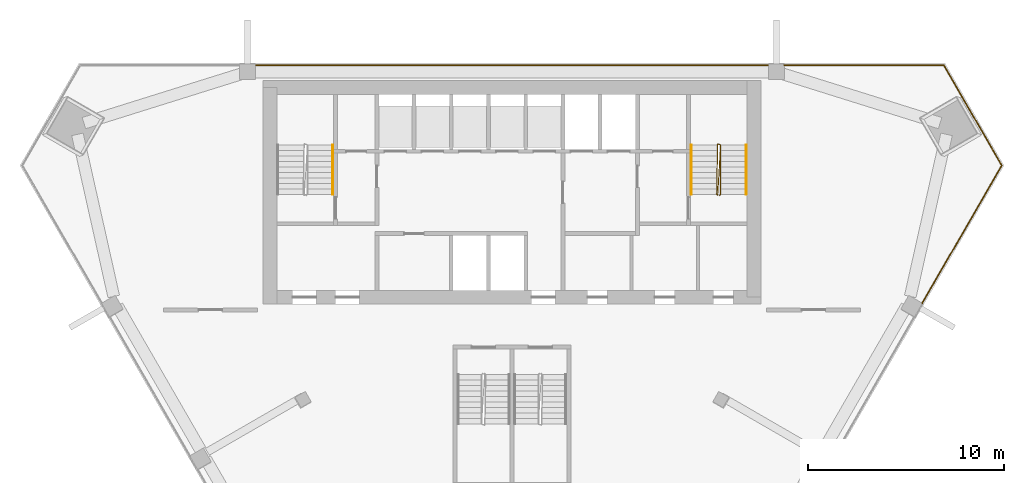
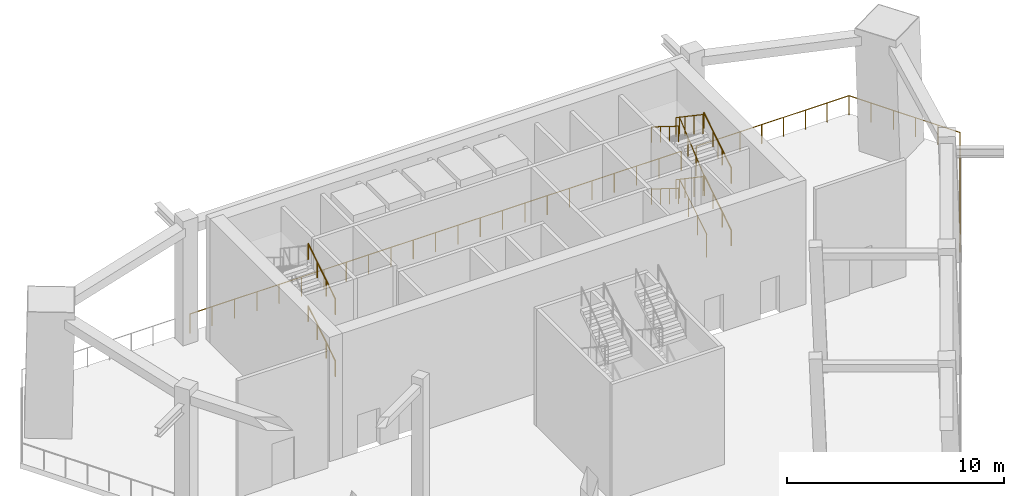
# One storey, part 5 of 6: 10 railings.
"""IFC4 building model written with IfcOpenShell, lengths in metres."""

from ifc_helpers import new_model, si_unit, direction, frame, origin, origin_2d, place, context, subcontext, project, spatial, circle, extrude, material, type_object, element, save


model = new_model("IFC4")

# Units and contexts
model_context = context("Model", 3, precision=1e-05, world=origin(), true_north=direction((0.0, 1.0)))
body_context = subcontext(model_context, "Body", "Model", "MODEL_VIEW")
ifc_project = project(units=[si_unit("LENGTHUNIT", "METRE"), si_unit("AREAUNIT", "SQUARE_METRE"), si_unit("VOLUMEUNIT", "CUBIC_METRE"), si_unit("PLANEANGLEUNIT", "RADIAN"), si_unit("MASSUNIT", "GRAM", prefix="KILO")], contexts=[model_context])

# Site, building, storey
site_placement = place(None, origin())
site = spatial("IfcSite", under=ifc_project, at=site_placement, CompositionType="ELEMENT")
building_placement = place(site_placement, origin())
building = spatial("IfcBuilding", under=site, at=building_placement, Name="Altiplano Prism Tower", CompositionType="ELEMENT")
storey_placement = place(building_placement, frame((0.0, 0.0, 212.39990234375)))
storey = spatial("IfcBuildingStorey", under=building, at=storey_placement, Name="L55", CompositionType="ELEMENT", Elevation=212.39990234375)

# Railings
ifc_material = material(Name="Steel S355", Category="steel")
railing_type_1 = type_object("IfcRailingType", Name="Open-edge guard 1100", PredefinedType="GUARDRAIL", material=ifc_material)
railing_1_placement = place(storey_placement, frame((107.040283203125, 104.89990234375, 0.0)))
element("IfcRailing", 1, at=railing_1_placement, inside=storey, type_object=railing_type_1, Name="Open-edge guard L55", PredefinedType="GUARDRAIL", context=body_context, shape_type="SweptSolid", body=[
    extrude(circle(Radius=0.02490234375, at=origin_2d()), frame((0.0, 0.0, 1.0751953125), z_axis=(0.500002072072, -0.86602420747, 0.0), x_axis=(0.86602420747, 0.500002072072, 0.0)), (0.0, 0.0, 1.0), 5.92041015625),
    extrude(circle(Radius=0.02490234375, at=origin_2d()), frame((2.960205078125, -5.127197265625, 1.0751953125), z_axis=(-0.499984725761, -0.866034222191, 0.0), x_axis=(0.866034222191, -0.499984725761, 0.0)), (0.0, 0.0, 1.0), 8.111572265625),
    extrude(circle(Radius=0.02490234375, at=origin_2d()), origin(), (0.0, 0.0, 1.0), 1.050048828125),
    extrude(circle(Radius=0.02490234375, at=origin_2d()), frame((0.592041015625, -1.025390625, 0.0)), (0.0, 0.0, 1.0), 1.050048828125),
    extrude(circle(Radius=0.02490234375, at=origin_2d()), frame((1.18408203125, -2.05078125, 0.0)), (0.0, 0.0, 1.0), 1.050048828125),
    extrude(circle(Radius=0.02490234375, at=origin_2d()), frame((1.776123046875, -3.076416015625, 0.0)), (0.0, 0.0, 1.0), 1.050048828125),
    extrude(circle(Radius=0.02490234375, at=origin_2d()), frame((2.3681640625, -4.101806640625, 0.0)), (0.0, 0.0, 1.0), 1.050048828125),
    extrude(circle(Radius=0.02490234375, at=origin_2d()), frame((2.960205078125, -5.127197265625, 0.0)), (0.0, 0.0, 1.0), 1.050048828125),
    extrude(circle(Radius=0.02490234375, at=origin_2d()), frame((2.380859375, -6.130859375, 0.0)), (0.0, 0.0, 1.0), 1.050048828125),
    extrude(circle(Radius=0.02490234375, at=origin_2d()), frame((1.801513671875, -7.13427734375, 0.0)), (0.0, 0.0, 1.0), 1.050048828125),
    extrude(circle(Radius=0.02490234375, at=origin_2d()), frame((1.22216796875, -8.137939453125, 0.0)), (0.0, 0.0, 1.0), 1.050048828125),
    extrude(circle(Radius=0.02490234375, at=origin_2d()), frame((0.642578125, -9.141357421875, 0.0)), (0.0, 0.0, 1.0), 1.050048828125),
    extrude(circle(Radius=0.02490234375, at=origin_2d()), frame((0.063232421875, -10.14501953125, 0.0)), (0.0, 0.0, 1.0), 1.050048828125),
    extrude(circle(Radius=0.02490234375, at=origin_2d()), frame((-0.51611328125, -11.1484375, 0.0)), (0.0, 0.0, 1.0), 1.050048828125),
    extrude(circle(Radius=0.02490234375, at=origin_2d()), frame((-1.095458984375, -12.152099609375, 0.0)), (0.0, 0.0, 1.0), 1.050048828125),
])
railing_2_placement = place(storey_placement, frame((71.89990234375, 104.89990234375, 0.0)))
element("IfcRailing", 2, at=railing_2_placement, inside=storey, type_object=railing_type_1, Name="Open-edge guard L55", PredefinedType="GUARDRAIL", context=body_context, shape_type="SweptSolid", body=[
    extrude(circle(Radius=0.02490234375, at=origin_2d()), frame((0.0, 0.0, 1.0751953125), z_axis=(1.0, 0.0, 0.0), x_axis=(0.0, 1.0, 0.0)), (0.0, 0.0, 1.0), 26.2001953125),
    extrude(circle(Radius=0.02490234375, at=origin_2d()), origin(), (0.0, 0.0, 1.0), 1.050048828125),
    extrude(circle(Radius=0.02490234375, at=origin_2d()), frame((1.19091796875, 0.0, 0.0)), (0.0, 0.0, 1.0), 1.050048828125),
    extrude(circle(Radius=0.02490234375, at=origin_2d()), frame((2.3818359375, 0.0, 0.0)), (0.0, 0.0, 1.0), 1.050048828125),
    extrude(circle(Radius=0.02490234375, at=origin_2d()), frame((3.57275390625, 0.0, 0.0)), (0.0, 0.0, 1.0), 1.050048828125),
    extrude(circle(Radius=0.02490234375, at=origin_2d()), frame((4.763671875, 0.0, 0.0)), (0.0, 0.0, 1.0), 1.050048828125),
    extrude(circle(Radius=0.02490234375, at=origin_2d()), frame((5.95458984375, 0.0, 0.0)), (0.0, 0.0, 1.0), 1.050048828125),
    extrude(circle(Radius=0.02490234375, at=origin_2d()), frame((7.1455078125, 0.0, 0.0)), (0.0, 0.0, 1.0), 1.050048828125),
    extrude(circle(Radius=0.02490234375, at=origin_2d()), frame((8.33642578125, 0.0, 0.0)), (0.0, 0.0, 1.0), 1.050048828125),
    extrude(circle(Radius=0.02490234375, at=origin_2d()), frame((9.52734375, 0.0, 0.0)), (0.0, 0.0, 1.0), 1.050048828125),
    extrude(circle(Radius=0.02490234375, at=origin_2d()), frame((10.71826171875, 0.0, 0.0)), (0.0, 0.0, 1.0), 1.050048828125),
    extrude(circle(Radius=0.02490234375, at=origin_2d()), frame((11.9091796875, 0.0, 0.0)), (0.0, 0.0, 1.0), 1.050048828125),
    extrude(circle(Radius=0.02490234375, at=origin_2d()), frame((13.10009765625, 0.0, 0.0)), (0.0, 0.0, 1.0), 1.050048828125),
    extrude(circle(Radius=0.02490234375, at=origin_2d()), frame((14.291015625, 0.0, 0.0)), (0.0, 0.0, 1.0), 1.050048828125),
    extrude(circle(Radius=0.02490234375, at=origin_2d()), frame((15.48193359375, 0.0, 0.0)), (0.0, 0.0, 1.0), 1.050048828125),
    extrude(circle(Radius=0.02490234375, at=origin_2d()), frame((16.6728515625, 0.0, 0.0)), (0.0, 0.0, 1.0), 1.050048828125),
    extrude(circle(Radius=0.02490234375, at=origin_2d()), frame((17.86376953125, 0.0, 0.0)), (0.0, 0.0, 1.0), 1.050048828125),
    extrude(circle(Radius=0.02490234375, at=origin_2d()), frame((19.0546875, 0.0, 0.0)), (0.0, 0.0, 1.0), 1.050048828125),
    extrude(circle(Radius=0.02490234375, at=origin_2d()), frame((20.24560546875, 0.0, 0.0)), (0.0, 0.0, 1.0), 1.050048828125),
    extrude(circle(Radius=0.02490234375, at=origin_2d()), frame((21.4365234375, 0.0, 0.0)), (0.0, 0.0, 1.0), 1.050048828125),
    extrude(circle(Radius=0.02490234375, at=origin_2d()), frame((22.62744140625, 0.0, 0.0)), (0.0, 0.0, 1.0), 1.050048828125),
    extrude(circle(Radius=0.02490234375, at=origin_2d()), frame((23.818359375, 0.0, 0.0)), (0.0, 0.0, 1.0), 1.050048828125),
    extrude(circle(Radius=0.02490234375, at=origin_2d()), frame((25.00927734375, 0.0, 0.0)), (0.0, 0.0, 1.0), 1.050048828125),
    extrude(circle(Radius=0.02490234375, at=origin_2d()), frame((26.2001953125, 0.0, 0.0)), (0.0, 0.0, 1.0), 1.050048828125),
])
railing_3_placement = place(storey_placement, frame((98.89990234375, 104.89990234375, 0.0)))
element("IfcRailing", 3, at=railing_3_placement, inside=storey, type_object=railing_type_1, Name="Open-edge guard L55", PredefinedType="GUARDRAIL", context=body_context, shape_type="SweptSolid", body=[
    extrude(circle(Radius=0.02490234375, at=origin_2d()), frame((0.0, 0.0, 1.0751953125), z_axis=(1.0, 0.0, 0.0), x_axis=(0.0, 1.0, 0.0)), (0.0, 0.0, 1.0), 8.140380859375),
    extrude(circle(Radius=0.02490234375, at=origin_2d()), origin(), (0.0, 0.0, 1.0), 1.050048828125),
    extrude(circle(Radius=0.02490234375, at=origin_2d()), frame((1.162841796875, 0.0, 0.0)), (0.0, 0.0, 1.0), 1.050048828125),
    extrude(circle(Radius=0.02490234375, at=origin_2d()), frame((2.325927734375, 0.0, 0.0)), (0.0, 0.0, 1.0), 1.050048828125),
    extrude(circle(Radius=0.02490234375, at=origin_2d()), frame((3.48876953125, 0.0, 0.0)), (0.0, 0.0, 1.0), 1.050048828125),
    extrude(circle(Radius=0.02490234375, at=origin_2d()), frame((4.651611328125, 0.0, 0.0)), (0.0, 0.0, 1.0), 1.050048828125),
    extrude(circle(Radius=0.02490234375, at=origin_2d()), frame((5.814453125, 0.0, 0.0)), (0.0, 0.0, 1.0), 1.050048828125),
    extrude(circle(Radius=0.02490234375, at=origin_2d()), frame((6.9775390625, 0.0, 0.0)), (0.0, 0.0, 1.0), 1.050048828125),
    extrude(circle(Radius=0.02490234375, at=origin_2d()), frame((8.140380859375, 0.0, 0.0)), (0.0, 0.0, 1.0), 1.050048828125),
])
railing_type_2 = type_object("IfcRailingType", Name="Stair guard 1100", PredefinedType="GUARDRAIL", material=ifc_material)
railing_4_placement = place(storey_placement, frame((95.60009765625, 98.25, 0.0)))
element("IfcRailing", 4, at=railing_4_placement, inside=storey, type_object=railing_type_2, Name="L55 ST2 stair guard 1", PredefinedType="GUARDRAIL", context=body_context, shape_type="SweptSolid", body=[
    extrude(circle(Radius=0.02392578125, at=origin_2d()), frame((0.0, 0.0, 1.076171875), z_axis=(0.263862480399, 0.265155923931, 0.927399011991), x_axis=(-0.708833529934, 0.705375805398, 0.0)), (0.0, 0.0, 1.0), 0.188720703125),
    extrude(circle(Radius=0.02392578125, at=origin_2d()), frame((0.0498046875, 0.050048828125, 1.2509765625), z_axis=(0.0, 0.848007534815, 0.529984170421), x_axis=(-1.0, 0.0, 0.0)), (0.0, 0.0, 1.0), 2.9716796875),
    extrude(circle(Radius=0.02392578125, at=origin_2d()), frame((0.0498046875, 2.570068359375, 2.826171875), z_axis=(-0.948528701346, 0.316691178788, 0.0), x_axis=(-0.316691178788, -0.948528701346, 0.0)), (0.0, 0.0, 1.0), 0.157958984375),
    extrude(circle(Radius=0.02392578125, at=origin_2d()), frame((-0.10009765625, 2.6201171875, 2.826171875), z_axis=(-0.01609440485, -0.826467316365, 0.562754604702), x_axis=(0.999810440751, -0.019470042781, 0.0)), (0.0, 0.0, 1.0), 3.109619140625),
    extrude(circle(Radius=0.02392578125, at=origin_2d()), frame((-0.150146484375, 0.050048828125, 4.576171875), z_axis=(0.707106781187, -0.707106781187, 0.0), x_axis=(0.707106781187, 0.707106781187, 0.0)), (0.0, 0.0, 1.0), 0.07080078125),
    extrude(circle(Radius=0.02392578125, at=origin_2d()), frame((-0.10009765625, 0.0, 4.576171875), z_axis=(0.04815501893, 0.825615446705, 0.562174553242), x_axis=(-0.998303354382, 0.05822724989, 0.0)), (0.0, 0.0, 1.0), 3.11279296875),
    extrude(circle(Radius=0.02392578125, at=origin_2d()), frame((0.0498046875, 2.570068359375, 6.326171875), z_axis=(-0.948528701346, 0.316691178788, 0.0), x_axis=(-0.316691178788, -0.948528701346, 0.0)), (0.0, 0.0, 1.0), 0.157958984375),
    extrude(circle(Radius=0.02392578125, at=origin_2d()), frame((-0.10009765625, 2.6201171875, 6.326171875), z_axis=(-0.01609440485, -0.826467316365, 0.562754604702), x_axis=(0.999810440751, -0.019470042781, 0.0)), (0.0, 0.0, 1.0), 3.109619140625),
    extrude(circle(Radius=0.02099609375, at=origin_2d()), origin(), (0.0, 0.0, 1.0), 1.052001953125),
    extrude(circle(Radius=0.02099609375, at=origin_2d()), frame((0.0498046875, 0.050048828125, 0.175048828125)), (0.0, 0.0, 1.0), 1.052001953125),
    extrude(circle(Radius=0.02099609375, at=origin_2d()), frame((0.0498046875, 0.89013671875, 0.699951171875)), (0.0, 0.0, 1.0), 1.052001953125),
    extrude(circle(Radius=0.02099609375, at=origin_2d()), frame((0.0498046875, 1.72998046875, 1.22509765625)), (0.0, 0.0, 1.0), 1.052001953125),
    extrude(circle(Radius=0.02099609375, at=origin_2d()), frame((0.0498046875, 2.570068359375, 1.75)), (0.0, 0.0, 1.0), 1.052001953125),
    extrude(circle(Radius=0.02099609375, at=origin_2d()), frame((-0.10009765625, 2.6201171875, 1.75)), (0.0, 0.0, 1.0), 1.052001953125),
    extrude(circle(Radius=0.02099609375, at=origin_2d()), frame((-0.11669921875, 1.763427734375, 2.333251953125)), (0.0, 0.0, 1.0), 1.052001953125),
    extrude(circle(Radius=0.02099609375, at=origin_2d()), frame((-0.133544921875, 0.90673828125, 2.916748046875)), (0.0, 0.0, 1.0), 1.052001953125),
    extrude(circle(Radius=0.02099609375, at=origin_2d()), frame((-0.150146484375, 0.050048828125, 3.5)), (0.0, 0.0, 1.0), 1.052001953125),
    extrude(circle(Radius=0.02099609375, at=origin_2d()), frame((-0.10009765625, 0.0, 3.5)), (0.0, 0.0, 1.0), 1.052001953125),
    extrude(circle(Radius=0.02099609375, at=origin_2d()), frame((-0.050048828125, 0.856689453125, 4.083251953125)), (0.0, 0.0, 1.0), 1.052001953125),
    extrude(circle(Radius=0.02099609375, at=origin_2d()), frame((-0.000244140625, 1.71337890625, 4.666748046875)), (0.0, 0.0, 1.0), 1.052001953125),
    extrude(circle(Radius=0.02099609375, at=origin_2d()), frame((0.0498046875, 2.570068359375, 5.25)), (0.0, 0.0, 1.0), 1.052001953125),
    extrude(circle(Radius=0.02099609375, at=origin_2d()), frame((-0.10009765625, 2.6201171875, 5.25)), (0.0, 0.0, 1.0), 1.052001953125),
    extrude(circle(Radius=0.02099609375, at=origin_2d()), frame((-0.11669921875, 1.763427734375, 5.833251953125)), (0.0, 0.0, 1.0), 1.052001953125),
    extrude(circle(Radius=0.02099609375, at=origin_2d()), frame((-0.133544921875, 0.90673828125, 6.416748046875)), (0.0, 0.0, 1.0), 1.052001953125),
    extrude(circle(Radius=0.02099609375, at=origin_2d()), frame((-0.150146484375, 0.050048828125, 7.0)), (0.0, 0.0, 1.0), 1.052001953125),
])
railing_type_3 = type_object("IfcRailingType", Name="Stair handrail 900", PredefinedType="HANDRAIL", material=ifc_material)
for number, where, name in (
    (5, (75.85009765625, 98.300048828125, 0.175048828125), "L55 ST1 stair handrail 1"),
    (6, (75.85009765625, 98.300048828125, 3.675048828125), "L55 ST1 stair handrail 3"),
    (7, (96.949951171875, 98.300048828125, 0.175048828125), "L55 ST2 stair handrail 1"),
):
    element("IfcRailing", number, at=place(storey_placement, frame(where)), inside=storey, type_object=railing_type_3, Name=name, PredefinedType="HANDRAIL", context=body_context, shape_type="SweptSolid", body=[
        extrude(circle(Radius=0.02392578125, at=origin_2d()), frame((0.0, 0.0, 0.8759765625), z_axis=(0.0, 0.848007534815, 0.529984170421), x_axis=(-1.0, 0.0, 0.0)), (0.0, 0.0, 1.0), 2.9716796875),
        extrude(circle(Radius=0.02099609375, at=origin_2d()), origin(), (0.0, 0.0, 1.0), 0.851806640625),
        extrude(circle(Radius=0.02099609375, at=origin_2d()), frame((0.0, 0.840087890625, 0.52490234375)), (0.0, 0.0, 1.0), 0.851806640625),
        extrude(circle(Radius=0.02099609375, at=origin_2d()), frame((0.0, 1.679931640625, 1.050048828125)), (0.0, 0.0, 1.0), 0.851806640625),
        extrude(circle(Radius=0.02099609375, at=origin_2d()), frame((0.0, 2.52001953125, 1.574951171875)), (0.0, 0.0, 1.0), 0.851806640625),
    ])
railing_5_placement = place(storey_placement, frame((94.14990234375, 100.820068359375, 1.925048828125)))
element("IfcRailing", 8, at=railing_5_placement, inside=storey, type_object=railing_type_3, Name="L55 ST2 stair handrail 2", PredefinedType="HANDRAIL", context=body_context, shape_type="SweptSolid", body=[
    extrude(circle(Radius=0.02392578125, at=origin_2d()), frame((0.0, 0.0, 0.8759765625), z_axis=(0.0, -0.848007534815, 0.529984170421), x_axis=(1.0, 0.0, 0.0)), (0.0, 0.0, 1.0), 2.9716796875),
    extrude(circle(Radius=0.02099609375, at=origin_2d()), origin(), (0.0, 0.0, 1.0), 0.851806640625),
    extrude(circle(Radius=0.02099609375, at=origin_2d()), frame((0.0, -0.840087890625, 0.52490234375)), (0.0, 0.0, 1.0), 0.851806640625),
    extrude(circle(Radius=0.02099609375, at=origin_2d()), frame((0.0, -1.679931640625, 1.050048828125)), (0.0, 0.0, 1.0), 0.851806640625),
    extrude(circle(Radius=0.02099609375, at=origin_2d()), frame((0.0, -2.52001953125, 1.574951171875)), (0.0, 0.0, 1.0), 0.851806640625),
])
railing_6_placement = place(storey_placement, frame((96.949951171875, 98.300048828125, 3.675048828125)))
element("IfcRailing", 9, at=railing_6_placement, inside=storey, type_object=railing_type_3, Name="L55 ST2 stair handrail 3", PredefinedType="HANDRAIL", context=body_context, shape_type="SweptSolid", body=[
    extrude(circle(Radius=0.02392578125, at=origin_2d()), frame((0.0, 0.0, 0.8759765625), z_axis=(0.0, 0.848007534815, 0.529984170421), x_axis=(-1.0, 0.0, 0.0)), (0.0, 0.0, 1.0), 2.9716796875),
    extrude(circle(Radius=0.02099609375, at=origin_2d()), origin(), (0.0, 0.0, 1.0), 0.851806640625),
    extrude(circle(Radius=0.02099609375, at=origin_2d()), frame((0.0, 0.840087890625, 0.52490234375)), (0.0, 0.0, 1.0), 0.851806640625),
    extrude(circle(Radius=0.02099609375, at=origin_2d()), frame((0.0, 1.679931640625, 1.050048828125)), (0.0, 0.0, 1.0), 0.851806640625),
    extrude(circle(Radius=0.02099609375, at=origin_2d()), frame((0.0, 2.52001953125, 1.574951171875)), (0.0, 0.0, 1.0), 0.851806640625),
])
railing_7_placement = place(storey_placement, frame((94.14990234375, 100.820068359375, 5.425048828125)))
element("IfcRailing", 10, at=railing_7_placement, inside=storey, type_object=railing_type_3, Name="L55 ST2 stair handrail 4", PredefinedType="HANDRAIL", context=body_context, shape_type="SweptSolid", body=[
    extrude(circle(Radius=0.02392578125, at=origin_2d()), frame((0.0, 0.0, 0.8759765625), z_axis=(0.0, -0.848007534815, 0.529984170421), x_axis=(1.0, 0.0, 0.0)), (0.0, 0.0, 1.0), 2.9716796875),
    extrude(circle(Radius=0.02099609375, at=origin_2d()), origin(), (0.0, 0.0, 1.0), 0.851806640625),
    extrude(circle(Radius=0.02099609375, at=origin_2d()), frame((0.0, -0.840087890625, 0.52490234375)), (0.0, 0.0, 1.0), 0.851806640625),
    extrude(circle(Radius=0.02099609375, at=origin_2d()), frame((0.0, -1.679931640625, 1.050048828125)), (0.0, 0.0, 1.0), 0.851806640625),
    extrude(circle(Radius=0.02099609375, at=origin_2d()), frame((0.0, -2.52001953125, 1.574951171875)), (0.0, 0.0, 1.0), 0.851806640625),
])

save(model, "model.ifc")
